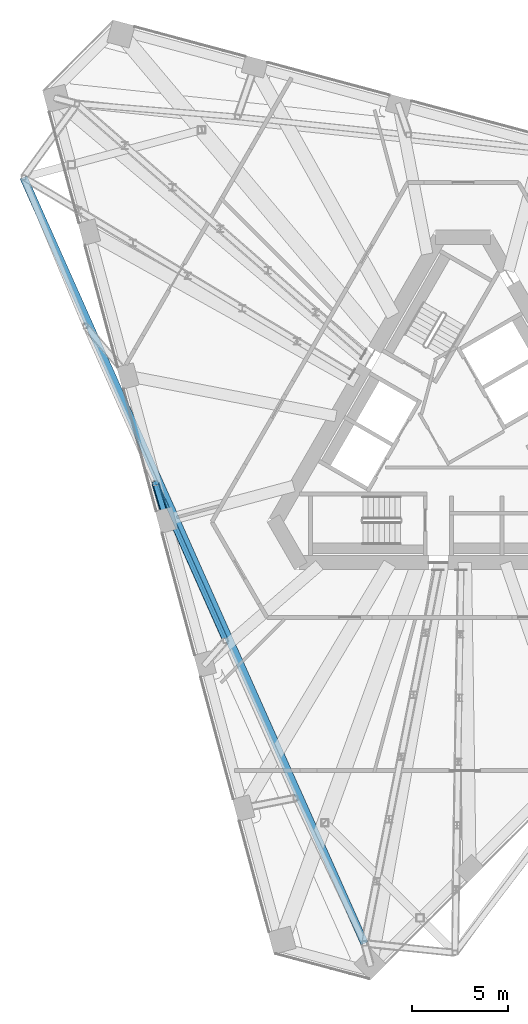
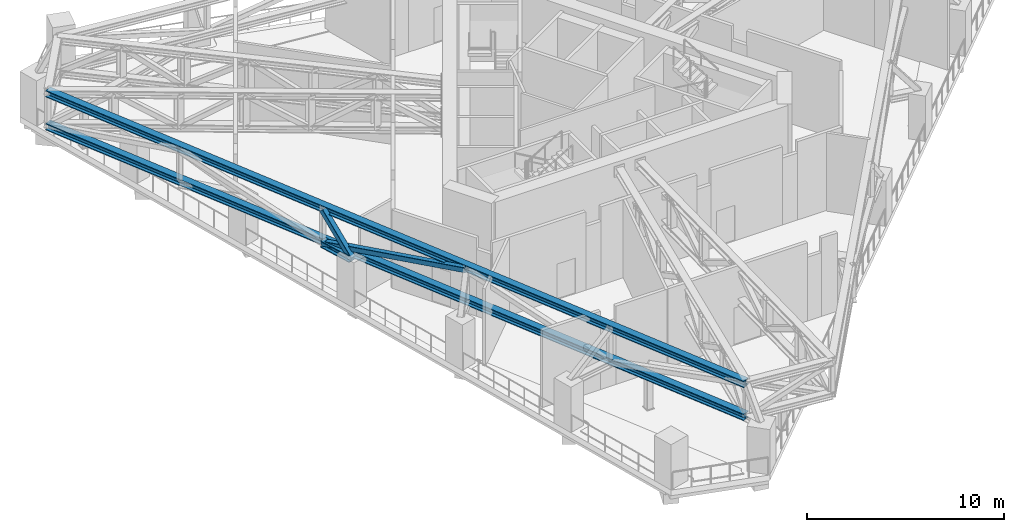
# One storey, part 5 of 22: 5 members.
"""IFC4 building model written with IfcOpenShell, lengths in metres."""

import ifcopenshell
import ifcopenshell.guid

model = None  # the IFC model being written
_history = None  # IfcOwnerHistory: only IFC2X3 demands one
_inside = {}  # id of a spatial element -> (the spatial element, [elements in it])
_under = {}  # id of a project, library or spatial element -> (it, [spatial elements below it])
_declared = {}  # id of a project -> (the project, [libraries it declares])
_typed = {}  # id of a type object -> (the type object, [elements of that type])
_made_of = {}  # id of a material, layer set ... -> (it, [elements and type objects made of it])


def new_model(schema):
    """Start an empty IFC model of exactly this schema.

    Asked for "IFC4X3", IfcOpenShell would pick the latest addendum, in which some entities
    have other attributes; the version numbers below select the first issue.
    IFC2X3 requires an IfcOwnerHistory on every rooted entity: one is made here for all.
    """
    global model, _history
    if schema == "IFC4X3":
        model = ifcopenshell.file(schema_version=(4, 3, 0, 0))
    else:
        model = ifcopenshell.file(schema=schema)
    _inside.clear()
    _under.clear()
    _declared.clear()
    _typed.clear()
    _made_of.clear()
    _history = None
    if model.schema == "IFC2X3":
        org = make("IfcOrganization", Name="unknown")
        user = make(
            "IfcPersonAndOrganization",
            ThePerson=make("IfcPerson", FamilyName="unknown"),
            TheOrganization=org,
        )
        app = make(
            "IfcApplication",
            ApplicationDeveloper=org,
            Version="unknown",
            ApplicationFullName="unknown",
            ApplicationIdentifier="unknown",
        )
        _history = make(
            "IfcOwnerHistory",
            OwningUser=user,
            OwningApplication=app,
            ChangeAction="ADDED",
            CreationDate=0,
        )
    return model


def make(cls, **values):
    """One entity of the class cls with the attributes given. An attribute that is None is left unset."""
    return model.create_entity(
        cls, **{name: value for name, value in values.items() if value is not None}
    )


def rooted(cls, **values):
    """An entity with a GlobalId (a new one), such as an element, a storey or a relation."""
    return make(cls, GlobalId=ifcopenshell.guid.new(), OwnerHistory=_history, **values)


def si_unit(unit_type, name, prefix=None):
    """IfcSIUnit, for example si_unit("LENGTHUNIT", "METRE", prefix="MILLI")."""
    return make("IfcSIUnit", UnitType=unit_type, Prefix=prefix, Name=name)


def assignment(units):
    """IfcUnitAssignment: the units of a project."""
    return None if units is None else make("IfcUnitAssignment", Units=units)


def point(xyz):
    """IfcCartesianPoint."""
    return None if xyz is None else make("IfcCartesianPoint", Coordinates=xyz)


def direction(xyz):
    """IfcDirection."""
    return None if xyz is None else make("IfcDirection", DirectionRatios=xyz)


def frame(location, z_axis=None, x_axis=None):
    """IfcAxis2Placement3D, a coordinate frame: its origin and axes. An axis left out is left unset."""
    return make(
        "IfcAxis2Placement3D",
        Location=point(location),
        Axis=direction(z_axis),
        RefDirection=direction(x_axis),
    )


def frame_2d(location, x_axis=None):
    """IfcAxis2Placement2D, a coordinate frame in the plane: its origin and x axis."""
    return make(
        "IfcAxis2Placement2D", Location=point(location), RefDirection=direction(x_axis)
    )


def origin():
    """The frame at (0, 0, 0) with its axes left unset."""
    return frame((0.0, 0.0, 0.0))


def origin_2d():
    """The frame at (0, 0) in the plane with its x axis left unset."""
    return frame_2d((0.0, 0.0))


def place(relative_to, where):
    """IfcLocalPlacement: puts the frame where relative to a parent placement (None: the world)."""
    return make(
        "IfcLocalPlacement", PlacementRelTo=relative_to, RelativePlacement=where
    )


def context(
    kind, dimensions, precision=None, world=None, true_north=None, identifier=None
):
    """IfcGeometricRepresentationContext, for example the 3D "Model" context."""
    return make(
        "IfcGeometricRepresentationContext",
        ContextIdentifier=identifier,
        ContextType=kind,
        CoordinateSpaceDimension=dimensions,
        Precision=precision,
        WorldCoordinateSystem=world,
        TrueNorth=true_north,
    )


def subcontext(parent, identifier, kind, view, scale=None):
    """IfcGeometricRepresentationSubContext, for example "Body" below "Model"."""
    return make(
        "IfcGeometricRepresentationSubContext",
        ContextIdentifier=identifier,
        ContextType=kind,
        ParentContext=parent,
        TargetScale=scale,
        TargetView=view,
    )


def project(units=None, contexts=None):
    """IfcProject with its units and contexts."""
    return rooted(
        "IfcProject",
        Name="project",
        RepresentationContexts=contexts,
        UnitsInContext=assignment(units),
    )


def spatial(cls, under=None, at=None, **own):
    """A site, building, storey or space (cls), placed at a placement, below another one or the project."""
    s = rooted(cls, ObjectPlacement=at, **own)
    if under is not None:
        _under.setdefault(under.id(), (under, []))[1].append(s)
    return s


def profile(cls, at=None, kind="AREA", **sizes):
    """A parametric profile (cls). Its sizes go by their IFC names, for example OverallWidth=200.0."""
    return make(cls, ProfileType=kind, Position=at, **sizes)


def hollow_rectangle(**sizes):
    """IfcRectangleHollowProfileDef."""
    return profile("IfcRectangleHollowProfileDef", **sizes)


def i_section(**sizes):
    """IfcIShapeProfileDef."""
    return profile("IfcIShapeProfileDef", **sizes)


def extrude(swept, where, along, depth):
    """IfcExtrudedAreaSolid: the profile swept, set in the frame where, extruded along a direction by depth."""
    return make(
        "IfcExtrudedAreaSolid",
        SweptArea=swept,
        Position=where,
        ExtrudedDirection=direction(along),
        Depth=depth,
    )


def shape(context_of_items, identifier, shape_type, items):
    """IfcShapeRepresentation: the items that make up one representation, for example the "Body"."""
    return make(
        "IfcShapeRepresentation",
        ContextOfItems=context_of_items,
        RepresentationIdentifier=identifier,
        RepresentationType=shape_type,
        Items=items,
    )


def material(Name=None, Category=None):
    """IfcMaterial."""
    return make("IfcMaterial", Name=Name, Category=Category)


def material_profile(
    of_material, cross_section, Name=None, Category=None, Priority=None
):
    """IfcMaterialProfile: a cross section and its material."""
    return make(
        "IfcMaterialProfile",
        Name=Name,
        Material=of_material,
        Profile=cross_section,
        Priority=Priority,
        Category=Category,
    )


def profile_set(profiles, Name=None, composite=None):
    """IfcMaterialProfileSet."""
    return make(
        "IfcMaterialProfileSet",
        Name=Name,
        MaterialProfiles=profiles,
        CompositeProfile=composite,
    )


def made_of(thing, what):
    """Note that an element or type object is made of a material, layer set ...; save() writes the relation."""
    if what is not None:
        _made_of.setdefault(what.id(), (what, []))[1].append(thing)
    return thing


def type_object(cls, material=None, **own):
    """A type object (cls), such as IfcWallType, which elements share."""
    return made_of(rooted(cls, **own), material)


def element(
    cls,
    number,
    at=None,
    inside=None,
    cuts=None,
    type_object=None,
    material=None,
    context=None,
    identifier="Body",
    shape_type=None,
    held_by="IfcProductDefinitionShape",
    body=None,
    shapes=None,
    **own,
):
    """One element of the class cls, such as IfcWall. Its Tag is "e" and its number.

    at: its placement. inside: the storey or other place that contains it. cuts: it is an
    opening in that element (IfcRelVoidsElement). A single representation is given by context,
    identifier, shape_type and body (its items); several are given by shapes. held_by: the class
    of the entity that holds the representations. save() writes the other relations.
    """
    e = rooted(cls, Tag="e%d" % number, ObjectPlacement=at, **own)
    if body is not None:
        shapes = [shape(context, identifier, shape_type, body)]
    if shapes is not None:
        e.Representation = make(held_by, Representations=shapes)
    if inside is not None:
        _inside.setdefault(inside.id(), (inside, []))[1].append(e)
    if cuts is not None:
        rooted(
            "IfcRelVoidsElement", RelatingBuildingElement=cuts, RelatedOpeningElement=e
        )
    if type_object is not None:
        _typed.setdefault(type_object.id(), (type_object, []))[1].append(e)
    return made_of(e, material)


def aggregate(whole, parts):
    """IfcRelAggregates: a whole, such as a stair, and the parts it consists of."""
    return rooted("IfcRelAggregates", RelatingObject=whole, RelatedObjects=parts)


def save(model, path):
    """Write the relations noted so far, then the file.

    IfcRelAggregates (storeys below a building ...), IfcRelContainedInSpatialStructure (elements
    in a storey), IfcRelDefinesByType, IfcRelAssociatesMaterial and IfcRelDeclares: one each for
    every whole, place, type object, material and project.
    """
    for whole, parts in _under.values():
        aggregate(whole, parts)
    for where, things in _inside.values():
        rooted(
            "IfcRelContainedInSpatialStructure",
            RelatedElements=things,
            RelatingStructure=where,
        )
    for kind, things in _typed.values():
        rooted("IfcRelDefinesByType", RelatedObjects=things, RelatingType=kind)
    for what, things in _made_of.values():
        rooted("IfcRelAssociatesMaterial", RelatedObjects=things, RelatingMaterial=what)
    for by, libraries in _declared.values():
        rooted("IfcRelDeclares", RelatingContext=by, RelatedDefinitions=libraries)
    model.write(path)


model = new_model("IFC4")

# Units and contexts
model_context = context("Model", 3, precision=1e-05, world=origin(), true_north=direction((0.0, 1.0)))
body_context = subcontext(model_context, "Body", "Model", "MODEL_VIEW")
ifc_project = project(units=[si_unit("LENGTHUNIT", "METRE"), si_unit("AREAUNIT", "SQUARE_METRE"), si_unit("VOLUMEUNIT", "CUBIC_METRE"), si_unit("PLANEANGLEUNIT", "RADIAN"), si_unit("MASSUNIT", "GRAM", prefix="KILO")], contexts=[model_context])

# Site, building, storey
site_placement = place(None, origin())
site = spatial("IfcSite", under=ifc_project, at=site_placement, CompositionType="ELEMENT")
building_placement = place(site_placement, origin())
building = spatial("IfcBuilding", under=site, at=building_placement, Name="Tramontana Tower", CompositionType="ELEMENT")
storey_placement = place(building_placement, frame((0.0, 0.0, 232.0)))
storey = spatial("IfcBuildingStorey", under=building, at=storey_placement, Name="L54", CompositionType="ELEMENT", Elevation=232.0)

# Members
ifc_material_1 = material(Name="Steel ASTM A500 Grade C", Category="steel")
ifc_material_profile_1 = material_profile(ifc_material_1, hollow_rectangle(XDim=0.3046875, YDim=0.3046875, WallThickness=0.01171875, InnerFilletRadius=0.01171875, OuterFilletRadius=0.023681640625, at=origin_2d()), Name="HSS12X12X1/2")
ifc_profile_set_1 = profile_set([ifc_material_profile_1], Name="Steel ASTM A500 Grade C")
member_type_1 = type_object("IfcMemberType", Name="Belt truss HSS12X12X1/2 brace", PredefinedType="BRACE", material=ifc_profile_set_1)
member_1_placement = place(storey_placement, frame((-16.0830078125, -2.231201171875, 2.603271484375), z_axis=(0.396662912442, -0.890898821208, 0.221264150426), x_axis=(0.913541951674, 0.406744517518, 0.0)))
element("IfcMember", 1, at=member_1_placement, inside=storey, type_object=member_type_1, Name="Belt truss diagonal S0.3", PredefinedType="BRACE", context=body_context, shape_type="SweptSolid", body=[
    extrude(hollow_rectangle(XDim=0.3046875, YDim=0.3046875, WallThickness=0.01171875, InnerFilletRadius=0.01171875, OuterFilletRadius=0.023681640625, at=origin_2d()), origin(), (0.0, 0.0, 1.0), 9.2353515625),
])
ifc_material_2 = material(Name="Steel ASTM A992 Grade 50", Category="steel")
ifc_material_profile_2 = material_profile(ifc_material_2, i_section(OverallWidth=0.4033203125, OverallDepth=0.406494140625, WebThickness=0.027099609375, FlangeThickness=0.04443359375, FilletRadius=0.01513671875, at=origin_2d()), Name="W14X233")
ifc_profile_set_2 = profile_set([ifc_material_profile_2], Name="Steel ASTM A992 Grade 50")
member_type_2 = type_object("IfcMemberType", Name="Belt truss W14X233 chord", PredefinedType="CHORD", material=ifc_profile_set_2)
for number, where, z_axis, x_axis, name in (
    (2, (-22.98291015625, 13.758056640625, 2.603271484375), (0.406736811644, -0.913545382591, 0.0), (0.913545382591, 0.406736811644, 0.0), "Belt truss bottom chord S0"),
    (3, (-22.98291015625, 13.758056640625, 4.646728515625), (0.406736811644, -0.913545382591, 0.0), (0.913545382591, 0.406736811644, 0.0), "Belt truss top chord S0"),
):
    element("IfcMember", number, at=place(storey_placement, frame(where, z_axis=z_axis, x_axis=x_axis)), inside=storey, type_object=member_type_2, Name=name, PredefinedType="CHORD", context=body_context, shape_type="SweptSolid", body=[
        extrude(i_section(OverallWidth=0.4033203125, OverallDepth=0.406494140625, WebThickness=0.027099609375, FlangeThickness=0.04443359375, FilletRadius=0.01513671875, at=origin_2d()), origin(), (0.0, 0.0, 1.0), 43.833251953125),
    ])
ifc_material_3 = material(Name="Steel ASTM A500 Grade C", Category="steel")
ifc_material_profile_3 = material_profile(ifc_material_3, hollow_rectangle(XDim=0.3046875, YDim=0.3046875, WallThickness=0.01171875, InnerFilletRadius=0.01171875, OuterFilletRadius=0.023681640625, at=origin_2d()), Name="HSS12X12X1/2")
ifc_profile_set_3 = profile_set([ifc_material_profile_3], Name="Steel ASTM A500 Grade C")
member_type_3 = type_object("IfcMemberType", Name="Transfer truss HSS12X12X1/2 brace", PredefinedType="BRACE", material=ifc_profile_set_3)
member_2_placement = place(storey_placement, frame((-15.503173828125, -4.154052734375, 2.603271484375), z_axis=(-0.202372302503, 0.671109159796, 0.713202598717), x_axis=(-0.957417140401, -0.288708190509, 0.0)))
element("IfcMember", 4, at=member_2_placement, inside=storey, type_object=member_type_3, Name="Transfer truss strut C6F02 diagonal", PredefinedType="BRACE", context=body_context, shape_type="SweptSolid", body=[
    extrude(hollow_rectangle(XDim=0.3046875, YDim=0.3046875, WallThickness=0.01171875, InnerFilletRadius=0.01171875, OuterFilletRadius=0.023681640625, at=origin_2d()), origin(), (0.0, 0.0, 1.0), 2.865234375),
])
ifc_material_4 = material(Name="Steel ASTM A992 Grade 50", Category="steel")
ifc_material_profile_4 = material_profile(ifc_material_4, i_section(OverallWidth=0.4033203125, OverallDepth=0.406494140625, WebThickness=0.027099609375, FlangeThickness=0.04443359375, FilletRadius=0.01513671875, at=origin_2d()), Name="W14X233")
ifc_profile_set_4 = profile_set([ifc_material_profile_4], Name="Steel ASTM A992 Grade 50")
member_type_4 = type_object("IfcMemberType", Name="Transfer truss W14X233 strut", PredefinedType="STRUT", material=ifc_profile_set_4)
member_3_placement = place(storey_placement, frame((-15.503173828125, -4.154052734375, 2.603271484375), z_axis=(-0.288708190509, 0.957417140401, 0.0), x_axis=(-0.957417140401, -0.288708190509, 0.0)))
element("IfcMember", 5, at=member_3_placement, inside=storey, type_object=member_type_4, Name="Transfer truss strut C6F02 bottom", PredefinedType="STRUT", context=body_context, shape_type="SweptSolid", body=[
    extrude(i_section(OverallWidth=0.4033203125, OverallDepth=0.406494140625, WebThickness=0.027099609375, FlangeThickness=0.04443359375, FilletRadius=0.01513671875, at=origin_2d()), origin(), (0.0, 0.0, 1.0), 2.00830078125),
])

save(model, "model.ifc")
